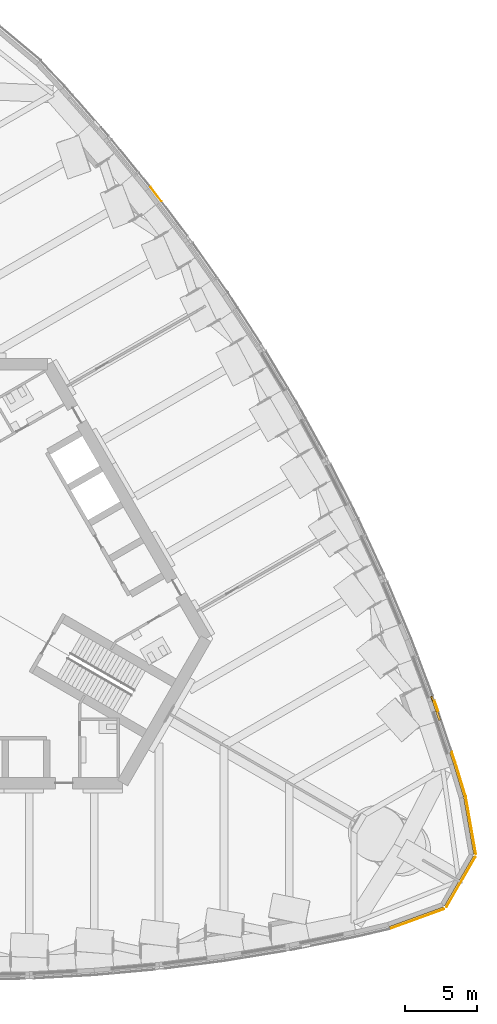
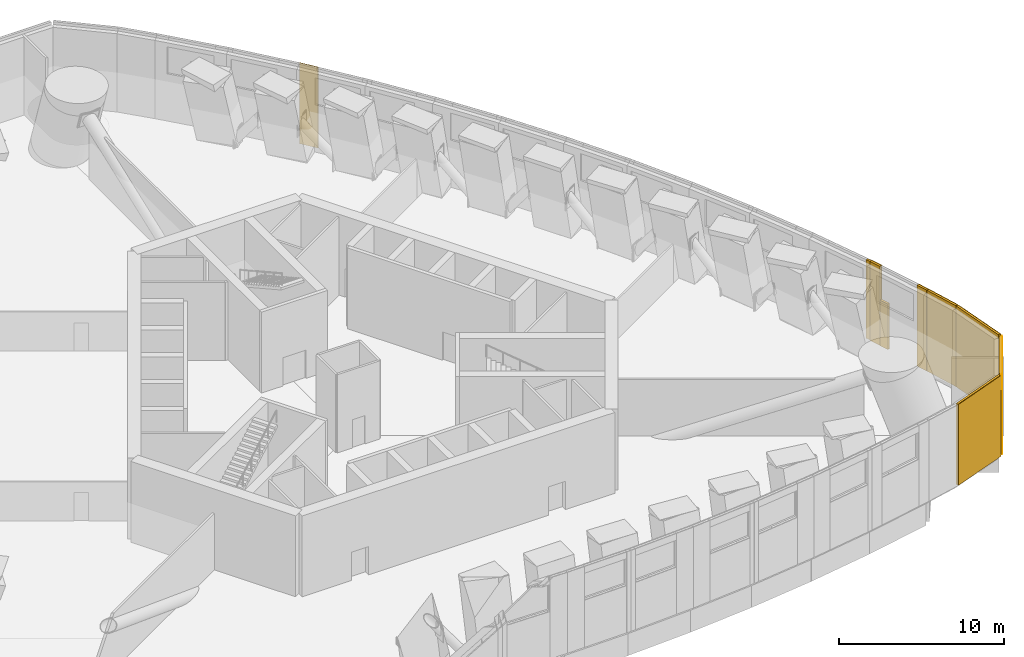
# One storey, part 21 of 25: 15 coverings.
"""IFC4 building model written with IfcOpenShell, lengths in metres."""

from ifc_helpers import new_model, si_unit, direction, frame, origin, origin_2d, place, context, subcontext, project, spatial, rectangle, extrude, material, layer, layer_set, type_object, element, save


model = new_model("IFC4")

# Units and contexts
model_context = context("Model", 3, precision=1e-05, world=origin(), true_north=direction((0.0, 1.0)))
body_context = subcontext(model_context, "Body", "Model", "MODEL_VIEW")
ifc_project = project(units=[si_unit("LENGTHUNIT", "METRE"), si_unit("AREAUNIT", "SQUARE_METRE"), si_unit("VOLUMEUNIT", "CUBIC_METRE"), si_unit("PLANEANGLEUNIT", "RADIAN"), si_unit("MASSUNIT", "GRAM", prefix="KILO")], contexts=[model_context])

# Site, building, storey
site_placement = place(None, origin())
site = spatial("IfcSite", under=ifc_project, at=site_placement, CompositionType="ELEMENT")
building_placement = place(site_placement, origin())
building = spatial("IfcBuilding", under=site, at=building_placement, Name="Trefoil Bronze Tower", CompositionType="ELEMENT")
storey_placement = place(building_placement, frame((0.0, 0.0, 178.699951171875)))
storey = spatial("IfcBuildingStorey", under=building, at=storey_placement, Name="L41", CompositionType="ELEMENT", Elevation=178.699951171875)

# Coverings
ifc_material_1 = material(Name="Bronze-finish aluminium rainscreen panel on aluminium rails", Category="aluminium")
ifc_layer_1 = layer(ifc_material_1, 0.0400390625)
ifc_layer_set_1 = layer_set([ifc_layer_1], Name="Bronze cladding panel 40")
covering_type_1 = type_object("IfcCoveringType", Name="Bronze cladding panel 40", PredefinedType="CLADDING", material=ifc_layer_set_1)
for number, where, z_axis, x_axis, name in (
    (1, (31.347412109375, -22.416015625, 0.0), (0.0, 0.0, 1.0), (0.939692620828, 0.342020143211, 0.0), "Cladding panel L41 Corner 1.1 piece 1"),
    (2, (34.3955078125, -19.858154296875, 0.0), (0.0, 0.0, 1.0), (0.500000000091, 0.866025403732, 0.0), "Cladding panel L41 Corner 1.2 piece 1"),
    (3, (35.08642578125, -15.939453125, 0.0), (0.0, 0.0, 1.0), (-0.17364817765, 0.984807753015, 0.0), "Cladding panel L41 Corner 1.3 piece 1"),
):
    element("IfcCovering", number, at=place(storey_placement, frame(where, z_axis=z_axis, x_axis=x_axis)), inside=storey, type_object=covering_type_1, Name=name, PredefinedType="CLADDING", context=body_context, shape_type="SweptSolid", body=[
        extrude(rectangle(XDim=4.001708984375, YDim=0.0400390625, at=origin_2d()), origin(), (0.0, 0.0, 1.0), 6.0),
    ])
covering_1_placement = place(storey_placement, frame((34.377197265625, -12.77392578125, 0.0), z_axis=(0.0, 0.0, 1.0), x_axis=(-0.291668676641, 0.956519410711, 0.0)))
element("IfcCovering", 4, at=covering_1_placement, inside=storey, type_object=covering_type_1, Name="Cladding panel L41 Face 2.1 piece 1", PredefinedType="CLADDING", context=body_context, shape_type="SweptSolid", body=[
    extrude(rectangle(XDim=2.420166015625, YDim=0.0400390625, at=origin_2d()), origin(), (0.0, 0.0, 1.0), 6.0),
])
for number, where, z_axis, x_axis, name in (
    (5, (33.894775390625, -11.230712890625, 0.0), (0.0, 0.0, 1.0), (-0.31840374947, 0.947955195314, 0.0), "Cladding panel L41 Face 2.2 piece 1"),
    (6, (32.686279296875, -7.6328125, 0.0), (0.0, 0.0, 1.0), (-0.31840374947, 0.947955195314, 0.0), "Cladding panel L41 Face 2.2 piece 2"),
):
    element("IfcCovering", number, at=place(storey_placement, frame(where, z_axis=z_axis, x_axis=x_axis)), inside=storey, type_object=covering_type_1, Name=name, PredefinedType="CLADDING", context=body_context, shape_type="SweptSolid", body=[
        extrude(rectangle(XDim=0.795654296875, YDim=0.0400390625, at=origin_2d()), origin(), (0.0, 0.0, 1.0), 6.0),
    ])
covering_2_placement = place(storey_placement, frame((13.275634765625, 27.787841796875, 0.0), z_axis=(0.0, 0.0, 1.0), x_axis=(-0.605252319997, 0.796033685932, 0.0)))
element("IfcCovering", 7, at=covering_2_placement, inside=storey, type_object=covering_type_1, Name="Cladding panel L41 Face 2.11 piece 2", PredefinedType="CLADDING", context=body_context, shape_type="SweptSolid", body=[
    extrude(rectangle(XDim=1.236328125, YDim=0.0400390625, at=origin_2d()), origin(), (0.0, 0.0, 1.0), 6.0),
])
ifc_material_2 = material(Name="Non-combustible mineral wool slab", Category="insulation")
ifc_layer_2 = layer(ifc_material_2, 0.14990234375)
ifc_layer_set_2 = layer_set([ifc_layer_2], Name="Rainscreen insulation 150")
covering_type_2 = type_object("IfcCoveringType", Name="Rainscreen insulation 150", PredefinedType="INSULATION", material=ifc_layer_set_2)
for number, where, z_axis, x_axis, name in (
    (8, (31.314697265625, -22.326904296875, 0.0), (0.0, 0.0, 1.0), (0.939692620828, 0.342020143211, 0.0), "Insulation L41 Corner 1.1 piece 1"),
    (9, (34.313232421875, -19.810791015625, 0.0), (0.0, 0.0, 1.0), (0.500000000091, 0.866025403732, 0.0), "Insulation L41 Corner 1.2 piece 1"),
    (10, (34.992919921875, -15.9560546875, 0.0), (0.0, 0.0, 1.0), (-0.17364817765, 0.984807753015, 0.0), "Insulation L41 Corner 1.3 piece 1"),
):
    element("IfcCovering", number, at=place(storey_placement, frame(where, z_axis=z_axis, x_axis=x_axis)), inside=storey, type_object=covering_type_2, Name=name, PredefinedType="INSULATION", context=body_context, shape_type="SweptSolid", body=[
        extrude(rectangle(XDim=4.001708984375, YDim=0.14990234375, at=origin_2d()), origin(), (0.0, 0.0, 1.0), 6.0),
    ])
covering_3_placement = place(storey_placement, frame((34.2861328125, -12.801513671875, 0.0), z_axis=(0.0, 0.0, 1.0), x_axis=(-0.291668676641, 0.956519410711, 0.0)))
element("IfcCovering", 11, at=covering_3_placement, inside=storey, type_object=covering_type_2, Name="Insulation L41 Face 2.1 piece 1", PredefinedType="INSULATION", context=body_context, shape_type="SweptSolid", body=[
    extrude(rectangle(XDim=2.420166015625, YDim=0.14990234375, at=origin_2d()), origin(), (0.0, 0.0, 1.0), 6.0),
])
covering_4_placement = place(storey_placement, frame((33.8046875, -11.260986328125, 0.0), z_axis=(0.0, 0.0, 1.0), x_axis=(-0.31840374947, 0.947955195314, 0.0)))
element("IfcCovering", 12, at=covering_4_placement, inside=storey, type_object=covering_type_2, Name="Insulation L41 Face 2.2 piece 1", PredefinedType="INSULATION", context=body_context, shape_type="SweptSolid", body=[
    extrude(rectangle(XDim=0.795654296875, YDim=0.14990234375, at=origin_2d()), origin(), (0.0, 0.0, 1.0), 6.0),
])
covering_5_placement = place(storey_placement, frame((32.59619140625, -7.6630859375, 0.1298828125), z_axis=(0.0, 0.0, 1.0), x_axis=(-0.31840374947, 0.947955195314, 0.0)))
element("IfcCovering", 13, at=covering_5_placement, inside=storey, type_object=covering_type_2, Name="Insulation L41 Face 2.2 piece 2", PredefinedType="INSULATION", context=body_context, shape_type="SweptSolid", body=[
    extrude(rectangle(XDim=0.795654296875, YDim=0.14990234375, at=origin_2d()), origin(), (0.0, 0.0, 1.0), 5.8701171875),
])
covering_6_placement = place(storey_placement, frame((32.82470703125, -8.343505859375, 0.115234375), z_axis=(0.0, 0.0, 1.0), x_axis=(-0.31840374947, 0.947955195314, 0.0)))
element("IfcCovering", 14, at=covering_6_placement, inside=storey, type_object=covering_type_2, Name="Insulation L41 Face 2.2 piece 3 part 2", PredefinedType="INSULATION", context=body_context, shape_type="SweptSolid", body=[
    extrude(rectangle(XDim=0.639892578125, YDim=0.14990234375, at=origin_2d()), origin(), (0.0, 0.0, 1.0), 3.385009765625),
])
covering_7_placement = place(storey_placement, frame((32.413818359375, -7.137939453125, 0.169921875), z_axis=(0.0, 0.0, 1.0), x_axis=(-0.352919739789, 0.935653598971, 0.0)))
element("IfcCovering", 15, at=covering_7_placement, inside=storey, type_object=covering_type_2, Name="Insulation L41 Face 2.3 piece 1", PredefinedType="INSULATION", context=body_context, shape_type="SweptSolid", body=[
    extrude(rectangle(XDim=0.300048828125, YDim=0.14990234375, at=origin_2d()), origin(), (0.0, 0.0, 1.0), 5.830078125),
])

save(model, "model.ifc")
